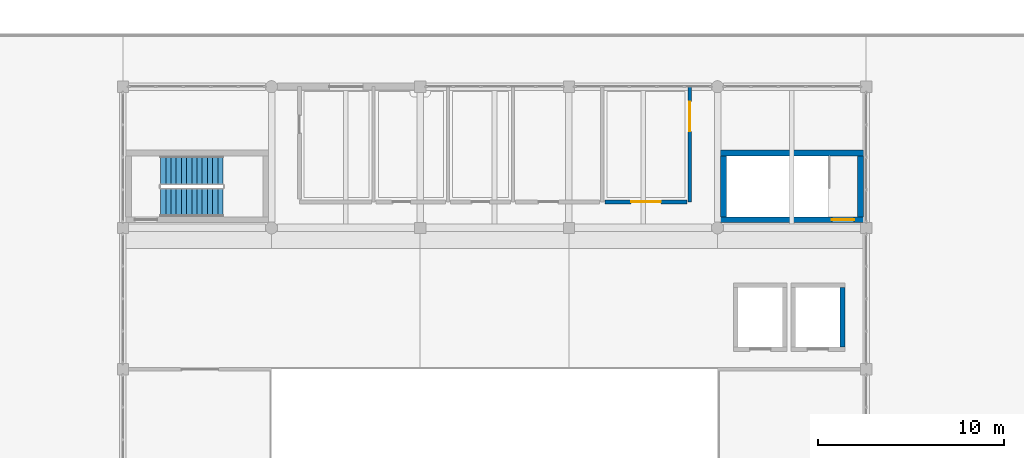
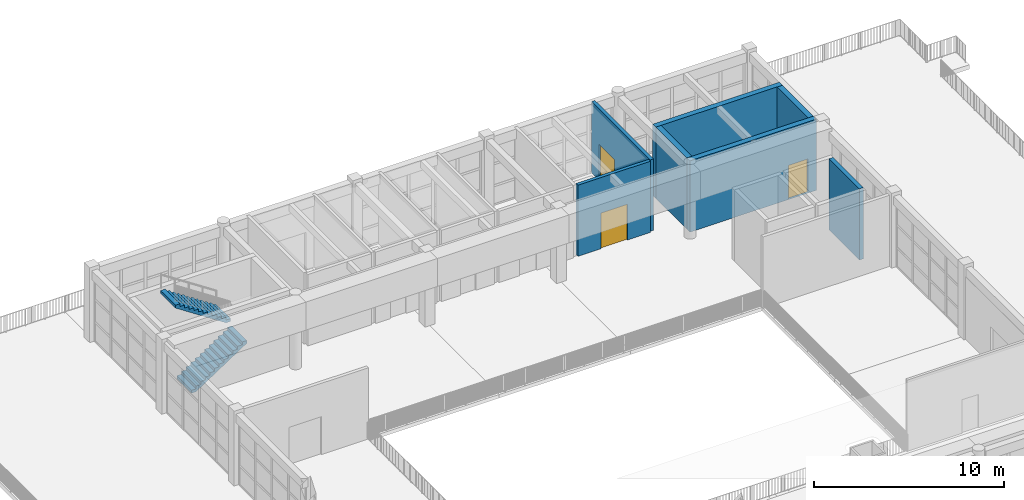
# One storey, part 27 of 32: 7 walls, 3 doors, 2 stair flights, 3 openings, 1 element without a shape of its own.
"""IFC4 building model written with IfcOpenShell, lengths in metres."""

from ifc_helpers import new_model, si_unit, direction, frame, frame_2d, origin, place, context, subcontext, project, spatial, polyline, rectangle, outline, extrude, material, layer, layer_set, type_object, element, fill, aggregate, save


model = new_model("IFC4")

# Units and contexts
model_context = context("Model", 3, precision=1e-05, world=origin(), true_north=direction((0.0, 1.0)))
body_context = subcontext(model_context, "Body", "Model", "MODEL_VIEW")
ifc_project = project(units=[si_unit("LENGTHUNIT", "METRE"), si_unit("AREAUNIT", "SQUARE_METRE"), si_unit("VOLUMEUNIT", "CUBIC_METRE"), si_unit("PLANEANGLEUNIT", "RADIAN"), si_unit("MASSUNIT", "GRAM", prefix="KILO")], contexts=[model_context])

# Site, building, storey
site_placement = place(None, origin())
site = spatial("IfcSite", under=ifc_project, at=site_placement, CompositionType="ELEMENT")
building_placement = place(site_placement, origin())
building = spatial("IfcBuilding", under=site, at=building_placement, Name="Zantavel Square City Hall", CompositionType="ELEMENT")
storey_placement = place(building_placement, frame((0.0, 0.0, 23.699951171875)))
storey = spatial("IfcBuildingStorey", under=building, at=storey_placement, Name="L06", CompositionType="ELEMENT", Elevation=23.699951171875)

# Wall, opening, door
ifc_material_1 = material(Name="Concrete C40/50", Category="concrete")
ifc_layer_1 = layer(ifc_material_1, 0.320068359375, Name="Concrete C40/50")
ifc_layer_set_1 = layer_set([ifc_layer_1], Name="Concrete C40/50")
wall_type_1 = type_object("IfcWallType", Name="Core Shear Wall RC 320mm C40/50", PredefinedType="SHEAR", material=ifc_layer_set_1)
wall_1_placement = place(storey_placement, frame((103.85009765625, 61.239990234375, 0.0), z_axis=(0.0, 0.0, 1.0), x_axis=(-1.0, 0.0, 0.0)))
wall_1 = element("IfcWall", 1, at=wall_1_placement, inside=storey, type_object=wall_type_1, Name="L06 Exit Stair 6 Central East Core Shear Wall South", PredefinedType="SHEAR", context=body_context, shape_type="SweptSolid", body=[
    extrude(rectangle(XDim=7.7001953125, YDim=0.320068359375, at=frame_2d((3.85009765625, 0.0))), origin(), (0.0, 0.0, 1.0), 4.580078125),
])
opening_1_placement = place(wall_1_placement, frame((0.5, 0.0, 0.0)))
opening_1 = element("IfcOpeningElement", 2, at=opening_1_placement, cuts=wall_1, Name="Opening SD-032", PredefinedType="OPENING", context=body_context, shape_type="SweptSolid", body=[
    extrude(rectangle(XDim=1.199951171875, YDim=2.199951171875, at=frame_2d((0.60009765625, 1.10009765625))), frame((0.0, 0.169921875, 0.0), z_axis=(0.0, -1.0, 0.0), x_axis=(1.0, 0.0, 0.0)), (0.0, 0.0, 1.0), 0.340087890625),
])
ifc_material_2 = material(Name="Steel ASTM A500 Grade B", Category="steel")
door_type_1 = type_object("IfcDoorType", Name="Enclosed Exit Stairwell Fire Door 1200x2200 FD90S", OperationType="NOTDEFINED", PredefinedType="DOOR", material=ifc_material_2)
door_1_placement = place(opening_1_placement, origin())
door_1 = element("IfcDoor", 3, at=door_1_placement, inside=storey, type_object=door_type_1, Name="L06 Exit Stair 6 Central East Core Fire Door", OperationType="SINGLE_SWING_RIGHT", OverallHeight=2.199951171875, OverallWidth=1.199951171875, PredefinedType="DOOR", context=body_context, shape_type="SweptSolid", body=[
    extrude(rectangle(XDim=1.199951171875, YDim=2.199951171875, at=frame_2d((0.60009765625, 1.10009765625))), frame((0.0, 0.02490234375, 0.0), z_axis=(0.0, -1.0, 0.0), x_axis=(1.0, 0.0, 0.0)), (0.0, 0.0, 1.0), 0.050048828125),
])
fill(opening_1, door_1)

# Walls
wall_2_placement = place(storey_placement, frame((96.31005859375, 61.39990234375, 0.0), z_axis=(0.0, 0.0, 1.0), x_axis=(0.0, 1.0, 0.0)))
element("IfcWall", 4, at=wall_2_placement, inside=storey, type_object=wall_type_1, Name="L06 Exit Stair 6 Central East Core Shear Wall West", PredefinedType="SHEAR", context=body_context, shape_type="SweptSolid", body=[
    extrude(rectangle(XDim=3.27001953125, YDim=0.320068359375, at=frame_2d((1.635009765625, 0.0))), origin(), (0.0, 0.0, 1.0), 4.580078125),
])
wall_3_placement = place(storey_placement, frame((96.14990234375, 64.830078125, 0.0), z_axis=(0.0, 0.0, 1.0), x_axis=(1.0, 0.0, 0.0)))
element("IfcWall", 5, at=wall_3_placement, inside=storey, type_object=wall_type_1, Name="L06 Exit Stair 6 Central East Core Shear Wall North", PredefinedType="SHEAR", context=body_context, shape_type="SweptSolid", body=[
    extrude(rectangle(XDim=7.7001953125, YDim=0.320068359375, at=frame_2d((3.85009765625, 0.0))), origin(), (0.0, 0.0, 1.0), 4.580078125),
])
wall_4_placement = place(storey_placement, frame((103.68994140625, 64.669921875, 0.0), z_axis=(0.0, 0.0, 1.0), x_axis=(0.0, -1.0, 0.0)))
element("IfcWall", 6, at=wall_4_placement, inside=storey, type_object=wall_type_1, Name="L06 Exit Stair 6 Central East Core Shear Wall East", PredefinedType="SHEAR", context=body_context, shape_type="SweptSolid", body=[
    extrude(rectangle(XDim=3.27001953125, YDim=0.320068359375, at=frame_2d((1.635009765625, 0.0))), origin(), (0.0, 0.0, 1.0), 4.580078125),
])

# Wall, opening, door
ifc_material_3 = material(Name="Cantera volcanic tuff stone", Category="masonry")
ifc_layer_2 = layer(ifc_material_3, 0.199951171875, Name="Cantera volcanic tuff stone")
ifc_layer_set_2 = layer_set([ifc_layer_2], Name="Cantera volcanic tuff stone")
wall_type_2 = type_object("IfcWallType", Name="Exit Corridor Rated Wall 200mm", PredefinedType="STANDARD", material=ifc_layer_set_2)
wall_5_placement = place(storey_placement, frame((94.5, 68.39990234375, 0.0), z_axis=(0.0, 0.0, 1.0), x_axis=(0.0, -1.0, 0.0)))
wall_5 = element("IfcWall", 7, at=wall_5_placement, inside=storey, type_object=wall_type_2, Name="L06 Interior Wall IW-L06-0358", PredefinedType="STANDARD", context=body_context, shape_type="SweptSolid", body=[
    extrude(rectangle(XDim=6.199951171875, YDim=0.199951171875, at=frame_2d((3.10009765625, 0.0))), origin(), (0.0, 0.0, 1.0), 4.580078125),
])
opening_2_placement = place(wall_5_placement, frame((0.800048828125, 0.0, 0.0)))
opening_2 = element("IfcOpeningElement", 8, at=opening_2_placement, cuts=wall_5, Name="Opening D-0174", PredefinedType="OPENING", context=body_context, shape_type="SweptSolid", body=[
    extrude(rectangle(XDim=1.60009765625, YDim=2.300048828125, at=frame_2d((0.800048828125, 1.14990234375))), frame((0.0, 0.10986328125, 0.0), z_axis=(0.0, -1.0, 0.0), x_axis=(1.0, 0.0, 0.0)), (0.0, 0.0, 1.0), 0.219970703125),
])
ifc_material_4 = material(Name="Solid oak hardwood", Category="wood")
door_type_2 = type_object("IfcDoorType", Name="Committee Suite Fire Double Door 1600x2300 FD60S", OperationType="NOTDEFINED", PredefinedType="DOOR", material=ifc_material_4)
door_2_placement = place(opening_2_placement, origin())
door_2 = element("IfcDoor", 9, at=door_2_placement, inside=storey, type_object=door_type_2, Name="L06 Simultaneous Interpretation Suite Door", OperationType="DOUBLE_DOOR_SINGLE_SWING", OverallHeight=2.300048828125, OverallWidth=1.60009765625, PredefinedType="DOOR", context=body_context, shape_type="SweptSolid", body=[
    extrude(rectangle(XDim=1.60009765625, YDim=2.300048828125, at=frame_2d((0.800048828125, 1.14990234375))), frame((0.0, 0.02490234375, 0.0), z_axis=(0.0, -1.0, 0.0), x_axis=(1.0, 0.0, 0.0)), (0.0, 0.0, 1.0), 0.050048828125),
])
fill(opening_2, door_2)

wall_6_placement = place(storey_placement, frame((94.35009765625, 62.199951171875, 0.0), z_axis=(0.0, 0.0, 1.0), x_axis=(-1.0, 0.0, 0.0)))
wall_6 = element("IfcWall", 10, at=wall_6_placement, inside=storey, type_object=wall_type_2, Name="L06 Interior Wall IW-L06-0359", PredefinedType="STANDARD", context=body_context, shape_type="SweptSolid", body=[
    extrude(rectangle(XDim=4.41015625, YDim=0.199951171875, at=frame_2d((2.205078125, 0.0))), origin(), (0.0, 0.0, 1.0), 4.580078125),
])
opening_3_placement = place(wall_6_placement, frame((1.405029296875, 0.0, 0.0)))
opening_3 = element("IfcOpeningElement", 11, at=opening_3_placement, cuts=wall_6, Name="Opening D-0177", PredefinedType="OPENING", context=body_context, shape_type="SweptSolid", body=[
    extrude(rectangle(XDim=1.60009765625, YDim=2.300048828125, at=frame_2d((0.800048828125, 1.14990234375))), frame((0.0, 0.10986328125, 0.0), z_axis=(0.0, -1.0, 0.0), x_axis=(1.0, 0.0, 0.0)), (0.0, 0.0, 1.0), 0.219970703125),
])
door_3_placement = place(opening_3_placement, origin())
door_3 = element("IfcDoor", 12, at=door_3_placement, inside=storey, type_object=door_type_2, Name="L06 Simultaneous Interpretation Suite Door", OperationType="DOUBLE_DOOR_SINGLE_SWING", OverallHeight=2.300048828125, OverallWidth=1.60009765625, PredefinedType="DOOR", context=body_context, shape_type="SweptSolid", body=[
    extrude(rectangle(XDim=1.60009765625, YDim=2.300048828125, at=frame_2d((0.800048828125, 1.14990234375))), frame((0.0, 0.02490234375, 0.0), z_axis=(0.0, -1.0, 0.0), x_axis=(1.0, 0.0, 0.0)), (0.0, 0.0, 1.0), 0.050048828125),
])
fill(opening_3, door_3)

# Wall
ifc_layer_3 = layer(ifc_material_1, 0.25, Name="Concrete C40/50")
ifc_layer_set_3 = layer_set([ifc_layer_3], Name="Concrete C40/50")
wall_type_3 = type_object("IfcWallType", Name="Lift Shaft Wall RC 250mm C40/50", PredefinedType="SHEAR", material=ifc_layer_set_3)
wall_7_placement = place(storey_placement, frame((102.72509765625, 57.60009765625, 0.0), z_axis=(0.0, 0.0, 1.0), x_axis=(0.0, -1.0, 0.0)))
element("IfcWall", 13, at=wall_7_placement, inside=storey, type_object=wall_type_3, Name="L06 Lift LF04 Shaft Wall East", PredefinedType="SHEAR", context=body_context, shape_type="SweptSolid", body=[
    extrude(rectangle(XDim=3.2001953125, YDim=0.25, at=frame_2d((1.60009765625, 0.0))), origin(), (0.0, 0.0, 1.0), 4.580078125),
])

# Stair, stair flights
ifc_material_5 = material(Name="Concrete C35/45", Category="concrete")
stair_type = type_object("IfcStairType", Name="Enclosed Core Dogleg Stair L06 H4800", PredefinedType="HALF_TURN_STAIR", material=ifc_material_5)
stair_placement = place(storey_placement, origin())
stair = element("IfcStair", 14, at=stair_placement, inside=storey, type_object=stair_type, Name="L06 Exit Stair 5 Central West Core", PredefinedType="HALF_TURN_STAIR")
stair_flight_type = type_object("IfcStairFlightType", Name="Enclosed Core Stair Flight L06 W1560", PredefinedType="STRAIGHT", material=ifc_material_5)
stair_flight_1_placement = place(storey_placement, frame((66.030029296875, 62.179931640625, 0.0), z_axis=(0.0, 0.0, 1.0), x_axis=(1.0, 0.0, 0.0)))
stair_flight_1 = element("IfcStairFlight", 15, at=stair_flight_1_placement, type_object=stair_flight_type, Name="ST5 flight 1", NumberOfRisers=13, NumberOfTreads=12, PredefinedType="STRAIGHT", RiserHeight=0.184615385, TreadLength=0.28, context=body_context, shape_type="SweptSolid", body=[
    extrude(outline(polyline([(0.0, 0.0), (0.0, 0.1845703125), (0.280029296875, 0.1845703125), (0.280029296875, 0.369140625), (0.56005859375, 0.369140625), (0.56005859375, 0.553955078125), (0.840087890625, 0.553955078125), (0.840087890625, 0.738525390625), (1.1201171875, 0.738525390625), (1.1201171875, 0.923095703125), (1.39990234375, 0.923095703125), (1.39990234375, 1.107666015625), (1.679931640625, 1.107666015625), (1.679931640625, 1.292236328125), (1.9599609375, 1.292236328125), (1.9599609375, 1.476806640625), (2.239990234375, 1.476806640625), (2.239990234375, 1.66162109375), (2.52001953125, 1.66162109375), (2.52001953125, 1.84619140625), (2.800048828125, 1.84619140625), (2.800048828125, 2.03076171875), (3.080078125, 2.03076171875), (3.080078125, 2.21533203125), (3.360107421875, 2.21533203125), (3.360107421875, 2.39990234375), (3.360107421875, 2.035888671875), (0.272216796875, 0.0), (0.0, 0.0)])), frame((0.0, 0.780029296875, 0.0), z_axis=(0.0, -1.0, 0.0), x_axis=(1.0, 0.0, 0.0)), (0.0, 0.0, 1.0), 1.56005859375),
])
stair_flight_2_placement = place(storey_placement, frame((69.389892578125, 63.889892578125, 2.400146484375), z_axis=(0.0, 0.0, 1.0), x_axis=(-1.0, 0.0, 0.0)))
stair_flight_2 = element("IfcStairFlight", 16, at=stair_flight_2_placement, type_object=stair_flight_type, Name="ST5 flight 2", NumberOfRisers=13, NumberOfTreads=12, PredefinedType="STRAIGHT", RiserHeight=0.184615385, TreadLength=0.28, context=body_context, shape_type="SweptSolid", body=[
    extrude(outline(polyline([(0.0, 0.0), (0.0, 0.1845703125), (0.280029296875, 0.1845703125), (0.280029296875, 0.369140625), (0.56005859375, 0.369140625), (0.56005859375, 0.553955078125), (0.840087890625, 0.553955078125), (0.840087890625, 0.738525390625), (1.1201171875, 0.738525390625), (1.1201171875, 0.923095703125), (1.39990234375, 0.923095703125), (1.39990234375, 1.107666015625), (1.679931640625, 1.107666015625), (1.679931640625, 1.292236328125), (1.9599609375, 1.292236328125), (1.9599609375, 1.476806640625), (2.239990234375, 1.476806640625), (2.239990234375, 1.66162109375), (2.52001953125, 1.66162109375), (2.52001953125, 1.84619140625), (2.800048828125, 1.84619140625), (2.800048828125, 2.03076171875), (3.080078125, 2.03076171875), (3.080078125, 2.21533203125), (3.360107421875, 2.21533203125), (3.360107421875, 2.39990234375), (3.360107421875, 2.035888671875), (0.272216796875, 0.0), (0.0, 0.0)])), frame((0.0, 0.780029296875, 0.0), z_axis=(0.0, -1.0, 0.0), x_axis=(1.0, 0.0, 0.0)), (0.0, 0.0, 1.0), 1.56005859375),
])
aggregate(stair, [stair_flight_1, stair_flight_2])

save(model, "model.ifc")
